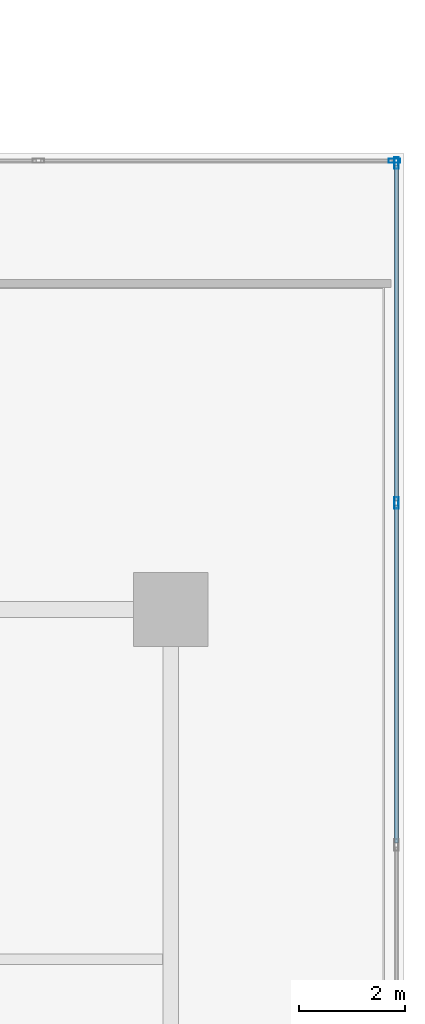
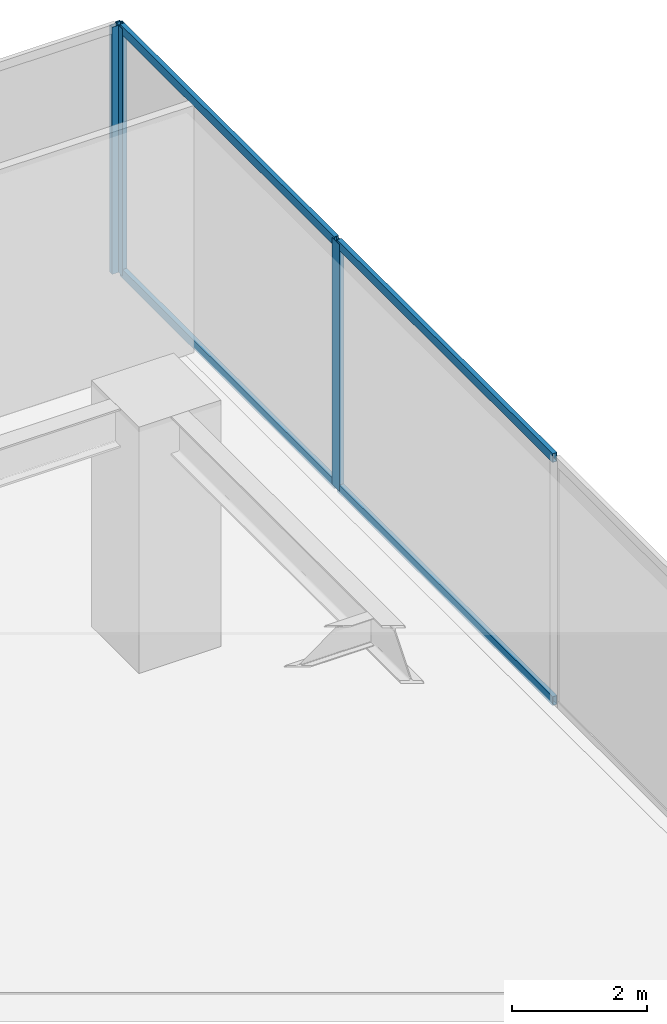
# One storey, part 10 of 16: 7 members, 2 elements without a shape of their own.
"""IFC4 building model written with IfcOpenShell, lengths in metres."""

import ifcopenshell
import ifcopenshell.guid

model = None  # the IFC model being written
_history = None  # IfcOwnerHistory: only IFC2X3 demands one
_inside = {}  # id of a spatial element -> (the spatial element, [elements in it])
_under = {}  # id of a project, library or spatial element -> (it, [spatial elements below it])
_declared = {}  # id of a project -> (the project, [libraries it declares])
_typed = {}  # id of a type object -> (the type object, [elements of that type])
_made_of = {}  # id of a material, layer set ... -> (it, [elements and type objects made of it])


def new_model(schema):
    """Start an empty IFC model of exactly this schema.

    Asked for "IFC4X3", IfcOpenShell would pick the latest addendum, in which some entities
    have other attributes; the version numbers below select the first issue.
    IFC2X3 requires an IfcOwnerHistory on every rooted entity: one is made here for all.
    """
    global model, _history
    if schema == "IFC4X3":
        model = ifcopenshell.file(schema_version=(4, 3, 0, 0))
    else:
        model = ifcopenshell.file(schema=schema)
    _inside.clear()
    _under.clear()
    _declared.clear()
    _typed.clear()
    _made_of.clear()
    _history = None
    if model.schema == "IFC2X3":
        org = make("IfcOrganization", Name="unknown")
        user = make(
            "IfcPersonAndOrganization",
            ThePerson=make("IfcPerson", FamilyName="unknown"),
            TheOrganization=org,
        )
        app = make(
            "IfcApplication",
            ApplicationDeveloper=org,
            Version="unknown",
            ApplicationFullName="unknown",
            ApplicationIdentifier="unknown",
        )
        _history = make(
            "IfcOwnerHistory",
            OwningUser=user,
            OwningApplication=app,
            ChangeAction="ADDED",
            CreationDate=0,
        )
    return model


def make(cls, **values):
    """One entity of the class cls with the attributes given. An attribute that is None is left unset."""
    return model.create_entity(
        cls, **{name: value for name, value in values.items() if value is not None}
    )


def rooted(cls, **values):
    """An entity with a GlobalId (a new one), such as an element, a storey or a relation."""
    return make(cls, GlobalId=ifcopenshell.guid.new(), OwnerHistory=_history, **values)


def si_unit(unit_type, name, prefix=None):
    """IfcSIUnit, for example si_unit("LENGTHUNIT", "METRE", prefix="MILLI")."""
    return make("IfcSIUnit", UnitType=unit_type, Prefix=prefix, Name=name)


def assignment(units):
    """IfcUnitAssignment: the units of a project."""
    return None if units is None else make("IfcUnitAssignment", Units=units)


def point(xyz):
    """IfcCartesianPoint."""
    return None if xyz is None else make("IfcCartesianPoint", Coordinates=xyz)


def direction(xyz):
    """IfcDirection."""
    return None if xyz is None else make("IfcDirection", DirectionRatios=xyz)


def frame(location, z_axis=None, x_axis=None):
    """IfcAxis2Placement3D, a coordinate frame: its origin and axes. An axis left out is left unset."""
    return make(
        "IfcAxis2Placement3D",
        Location=point(location),
        Axis=direction(z_axis),
        RefDirection=direction(x_axis),
    )


def frame_2d(location, x_axis=None):
    """IfcAxis2Placement2D, a coordinate frame in the plane: its origin and x axis."""
    return make(
        "IfcAxis2Placement2D", Location=point(location), RefDirection=direction(x_axis)
    )


def origin():
    """The frame at (0, 0, 0) with its axes left unset."""
    return frame((0.0, 0.0, 0.0))


def origin_with_axes():
    """The frame at (0, 0, 0) with the z axis (0, 0, 1) and the x axis (1, 0, 0) written out."""
    return frame((0.0, 0.0, 0.0), z_axis=(0.0, 0.0, 1.0), x_axis=(1.0, 0.0, 0.0))


def origin_2d():
    """The frame at (0, 0) in the plane with its x axis left unset."""
    return frame_2d((0.0, 0.0))


def place(relative_to, where):
    """IfcLocalPlacement: puts the frame where relative to a parent placement (None: the world)."""
    return make(
        "IfcLocalPlacement", PlacementRelTo=relative_to, RelativePlacement=where
    )


def context(
    kind, dimensions, precision=None, world=None, true_north=None, identifier=None
):
    """IfcGeometricRepresentationContext, for example the 3D "Model" context."""
    return make(
        "IfcGeometricRepresentationContext",
        ContextIdentifier=identifier,
        ContextType=kind,
        CoordinateSpaceDimension=dimensions,
        Precision=precision,
        WorldCoordinateSystem=world,
        TrueNorth=true_north,
    )


def subcontext(parent, identifier, kind, view, scale=None):
    """IfcGeometricRepresentationSubContext, for example "Body" below "Model"."""
    return make(
        "IfcGeometricRepresentationSubContext",
        ContextIdentifier=identifier,
        ContextType=kind,
        ParentContext=parent,
        TargetScale=scale,
        TargetView=view,
    )


def project(units=None, contexts=None):
    """IfcProject with its units and contexts."""
    return rooted(
        "IfcProject",
        Name="project",
        RepresentationContexts=contexts,
        UnitsInContext=assignment(units),
    )


def spatial(cls, under=None, at=None, **own):
    """A site, building, storey or space (cls), placed at a placement, below another one or the project."""
    s = rooted(cls, ObjectPlacement=at, **own)
    if under is not None:
        _under.setdefault(under.id(), (under, []))[1].append(s)
    return s


def profile(cls, at=None, kind="AREA", **sizes):
    """A parametric profile (cls). Its sizes go by their IFC names, for example OverallWidth=200.0."""
    return make(cls, ProfileType=kind, Position=at, **sizes)


def hollow_rectangle(**sizes):
    """IfcRectangleHollowProfileDef."""
    return profile("IfcRectangleHollowProfileDef", **sizes)


def extrude(swept, where, along, depth):
    """IfcExtrudedAreaSolid: the profile swept, set in the frame where, extruded along a direction by depth."""
    return make(
        "IfcExtrudedAreaSolid",
        SweptArea=swept,
        Position=where,
        ExtrudedDirection=direction(along),
        Depth=depth,
    )


def shape(context_of_items, identifier, shape_type, items):
    """IfcShapeRepresentation: the items that make up one representation, for example the "Body"."""
    return make(
        "IfcShapeRepresentation",
        ContextOfItems=context_of_items,
        RepresentationIdentifier=identifier,
        RepresentationType=shape_type,
        Items=items,
    )


def source(mapping_origin, context_of_items, identifier, shape_type, items):
    """IfcRepresentationMap: a shape defined once, which mapped items show again and again."""
    return make(
        "IfcRepresentationMap",
        MappingOrigin=mapping_origin,
        MappedRepresentation=shape(context_of_items, identifier, shape_type, items),
    )


def transform(
    local_origin,
    x_axis=None,
    y_axis=None,
    z_axis=None,
    scale=None,
    scale2=None,
    scale3=None,
    uniform=True,
):
    """IfcCartesianTransformationOperator3D, or its non-uniform kind. x_axis, y_axis, z_axis: its Axis1, 2, 3."""
    if uniform:
        return make(
            "IfcCartesianTransformationOperator3D",
            Axis1=direction(x_axis),
            Axis2=direction(y_axis),
            LocalOrigin=point(local_origin),
            Scale=scale,
            Axis3=direction(z_axis),
        )
    return make(
        "IfcCartesianTransformationOperator3DnonUniform",
        Axis1=direction(x_axis),
        Axis2=direction(y_axis),
        LocalOrigin=point(local_origin),
        Scale=scale,
        Axis3=direction(z_axis),
        Scale2=scale2,
        Scale3=scale3,
    )


def mapped(mapping_source, mapping_target):
    """IfcMappedItem: shows the shape of a source again, moved by a transform."""
    return make(
        "IfcMappedItem", MappingSource=mapping_source, MappingTarget=mapping_target
    )


def material(Name=None, Category=None):
    """IfcMaterial."""
    return make("IfcMaterial", Name=Name, Category=Category)


def layer(
    of_material, thickness, ventilated=None, Name=None, Category=None, Priority=None
):
    """IfcMaterialLayer: one layer of a wall or slab, of a material (None: an air gap)."""
    return make(
        "IfcMaterialLayer",
        Material=of_material,
        LayerThickness=thickness,
        IsVentilated=ventilated,
        Name=Name,
        Category=Category,
        Priority=Priority,
    )


def layer_set(layers, Name=None):
    """IfcMaterialLayerSet."""
    return make("IfcMaterialLayerSet", MaterialLayers=layers, LayerSetName=Name)


def material_profile(
    of_material, cross_section, Name=None, Category=None, Priority=None
):
    """IfcMaterialProfile: a cross section and its material."""
    return make(
        "IfcMaterialProfile",
        Name=Name,
        Material=of_material,
        Profile=cross_section,
        Priority=Priority,
        Category=Category,
    )


def profile_set(profiles, Name=None, composite=None):
    """IfcMaterialProfileSet."""
    return make(
        "IfcMaterialProfileSet",
        Name=Name,
        MaterialProfiles=profiles,
        CompositeProfile=composite,
    )


def made_of(thing, what):
    """Note that an element or type object is made of a material, layer set ...; save() writes the relation."""
    if what is not None:
        _made_of.setdefault(what.id(), (what, []))[1].append(thing)
    return thing


def type_object(cls, material=None, **own):
    """A type object (cls), such as IfcWallType, which elements share."""
    return made_of(rooted(cls, **own), material)


def element(
    cls,
    number,
    at=None,
    inside=None,
    cuts=None,
    type_object=None,
    material=None,
    context=None,
    identifier="Body",
    shape_type=None,
    held_by="IfcProductDefinitionShape",
    body=None,
    shapes=None,
    **own,
):
    """One element of the class cls, such as IfcWall. Its Tag is "e" and its number.

    at: its placement. inside: the storey or other place that contains it. cuts: it is an
    opening in that element (IfcRelVoidsElement). A single representation is given by context,
    identifier, shape_type and body (its items); several are given by shapes. held_by: the class
    of the entity that holds the representations. save() writes the other relations.
    """
    e = rooted(cls, Tag="e%d" % number, ObjectPlacement=at, **own)
    if body is not None:
        shapes = [shape(context, identifier, shape_type, body)]
    if shapes is not None:
        e.Representation = make(held_by, Representations=shapes)
    if inside is not None:
        _inside.setdefault(inside.id(), (inside, []))[1].append(e)
    if cuts is not None:
        rooted(
            "IfcRelVoidsElement", RelatingBuildingElement=cuts, RelatedOpeningElement=e
        )
    if type_object is not None:
        _typed.setdefault(type_object.id(), (type_object, []))[1].append(e)
    return made_of(e, material)


def aggregate(whole, parts):
    """IfcRelAggregates: a whole, such as a stair, and the parts it consists of."""
    return rooted("IfcRelAggregates", RelatingObject=whole, RelatedObjects=parts)


def save(model, path):
    """Write the relations noted so far, then the file.

    IfcRelAggregates (storeys below a building ...), IfcRelContainedInSpatialStructure (elements
    in a storey), IfcRelDefinesByType, IfcRelAssociatesMaterial and IfcRelDeclares: one each for
    every whole, place, type object, material and project.
    """
    for whole, parts in _under.values():
        aggregate(whole, parts)
    for where, things in _inside.values():
        rooted(
            "IfcRelContainedInSpatialStructure",
            RelatedElements=things,
            RelatingStructure=where,
        )
    for kind, things in _typed.values():
        rooted("IfcRelDefinesByType", RelatedObjects=things, RelatingType=kind)
    for what, things in _made_of.values():
        rooted("IfcRelAssociatesMaterial", RelatedObjects=things, RelatingMaterial=what)
    for by, libraries in _declared.values():
        rooted("IfcRelDeclares", RelatingContext=by, RelatedDefinitions=libraries)
    model.write(path)


model = new_model("IFC4")

# Units and contexts
model_context = context("Model", 3, precision=1e-05, world=origin(), true_north=direction((0.0, 1.0)))
body_context = subcontext(model_context, "Body", "Model", "MODEL_VIEW")
ifc_project = project(units=[si_unit("LENGTHUNIT", "METRE"), si_unit("AREAUNIT", "SQUARE_METRE"), si_unit("VOLUMEUNIT", "CUBIC_METRE"), si_unit("PLANEANGLEUNIT", "RADIAN"), si_unit("MASSUNIT", "GRAM", prefix="KILO")], contexts=[model_context])

# Site, building, storey
site_placement = place(None, origin())
site = spatial("IfcSite", under=ifc_project, at=site_placement, CompositionType="ELEMENT")
building_placement = place(site_placement, origin())
building = spatial("IfcBuilding", under=site, at=building_placement, Name="Kolvaren Waterfront Exchange", CompositionType="ELEMENT")
storey_placement = place(building_placement, frame((0.0, 0.0, 10.39990234375)))
storey = spatial("IfcBuildingStorey", under=building, at=storey_placement, Name="L03", CompositionType="ELEMENT", Elevation=10.39990234375)

# Curtain wall, members
ifc_material_1 = material(Name="Anodised bronze aluminium 6063-T6", Category="aluminium")
ifc_layer = layer(ifc_material_1, 0.219970703125, Name="Anodised bronze aluminium 6063-T6")
ifc_layer_set = layer_set([ifc_layer], Name="Anodised bronze aluminium 6063-T6")
curtain_wall_type = type_object("IfcCurtainWallType", Name="ARC-CW-SYS4", PredefinedType="USERDEFINED", material=ifc_layer_set)
curtain_wall_1_placement = place(storey_placement, origin())
curtain_wall_1 = element("IfcCurtainWall", 1, at=curtain_wall_1_placement, inside=storey, type_object=curtain_wall_type, Name="L03 stick curtain wall CW4 (CW-L03-E1)", ObjectType="STICK CURTAIN WALL", PredefinedType="USERDEFINED")
ifc_material_2 = material(Name="Anodised aluminium 6063-T6", Category="aluminium")
ifc_material_profile_1 = material_profile(ifc_material_2, hollow_rectangle(XDim=0.074951171875, YDim=0.159912109375, WallThickness=0.00439453125, at=origin_2d()), Name="ALU-TRN-160x75x4.5")
ifc_profile_set_1 = profile_set([ifc_material_profile_1], Name="Anodised aluminium 6063-T6")
member_type_1 = type_object("IfcMemberType", Name="ARC-CWT-160", PredefinedType="USERDEFINED", material=ifc_profile_set_1)
shared_shape_1 = source(origin_with_axes(), body_context, "Body", "SweptSolid", [
    extrude(hollow_rectangle(XDim=0.074951171875, YDim=0.159912109375, WallThickness=0.00439453125, at=origin_2d()), origin(), (0.0, 0.0, 1.0), 6.37158203125),
])
member_1_placement = place(storey_placement, frame((64.659912109375, 26.19677734375, 0.03759765625), z_axis=(0.0, 1.0, 0.0), x_axis=(-1.0, 0.0, 0.0)))
member_1 = element("IfcMember", 2, at=member_1_placement, type_object=member_type_1, Name="CW4 transom 5.1", ObjectType="TRANSOM", PredefinedType="USERDEFINED", context=body_context, shape_type="MappedRepresentation", body=[
    mapped(shared_shape_1, transform((0.0, 0.0, 0.0), x_axis=(1.0, 0.0, 0.0), y_axis=(0.0, 1.0, 0.0), z_axis=(0.0, 0.0, 1.0), scale=1.0)),
])
member_2_placement = place(storey_placement, frame((64.659912109375, 26.19677734375, 4.422607421875), z_axis=(0.0, 1.0, 0.0), x_axis=(-1.0, 0.0, 0.0)))
member_2 = element("IfcMember", 3, at=member_2_placement, type_object=member_type_1, Name="CW4 transom 5.2", ObjectType="TRANSOM", PredefinedType="USERDEFINED", context=body_context, shape_type="MappedRepresentation", body=[
    mapped(shared_shape_1, transform((0.0, 0.0, 0.0), x_axis=(1.0, 0.0, 0.0), y_axis=(0.0, 1.0, 0.0), z_axis=(0.0, 0.0, 1.0), scale=1.0)),
])
shared_shape_2 = source(origin_with_axes(), body_context, "Body", "SweptSolid", [
    extrude(hollow_rectangle(XDim=0.074951171875, YDim=0.159912109375, WallThickness=0.00439453125, at=origin_2d()), origin(), (0.0, 0.0, 1.0), 6.33154296875),
])
member_3_placement = place(storey_placement, frame((64.659912109375, 32.6484375, 0.03759765625), z_axis=(0.0, 1.0, 0.0), x_axis=(-1.0, 0.0, 0.0)))
member_3 = element("IfcMember", 4, at=member_3_placement, type_object=member_type_1, Name="CW4 transom 6.1", ObjectType="TRANSOM", PredefinedType="USERDEFINED", context=body_context, shape_type="MappedRepresentation", body=[
    mapped(shared_shape_2, transform((0.0, 0.0, 0.0), x_axis=(1.0, 0.0, 0.0), y_axis=(0.0, 1.0, 0.0), z_axis=(0.0, 0.0, 1.0), scale=1.0)),
])
member_4_placement = place(storey_placement, frame((64.659912109375, 32.6484375, 4.422607421875), z_axis=(0.0, 1.0, 0.0), x_axis=(-1.0, 0.0, 0.0)))
member_4 = element("IfcMember", 5, at=member_4_placement, type_object=member_type_1, Name="CW4 transom 6.2", ObjectType="TRANSOM", PredefinedType="USERDEFINED", context=body_context, shape_type="MappedRepresentation", body=[
    mapped(shared_shape_2, transform((0.0, 0.0, 0.0), x_axis=(1.0, 0.0, 0.0), y_axis=(0.0, 1.0, 0.0), z_axis=(0.0, 0.0, 1.0), scale=1.0)),
])
ifc_material_profile_2 = material_profile(ifc_material_2, hollow_rectangle(XDim=0.080078125, YDim=0.219970703125, WallThickness=0.0048828125, at=origin_2d()), Name="ALU-MUL-220x80x5")
ifc_profile_set_2 = profile_set([ifc_material_profile_2], Name="Anodised aluminium 6063-T6")
member_type_2 = type_object("IfcMemberType", Name="ARC-CWM-220", PredefinedType="MULLION", material=ifc_profile_set_2)
shared_shape_3 = source(origin_with_axes(), body_context, "Body", "SweptSolid", [
    extrude(hollow_rectangle(XDim=0.080078125, YDim=0.219970703125, WallThickness=0.0048828125, at=origin_2d()), origin(), (0.0, 0.0, 1.0), 4.460205078125),
])
member_5_placement = place(storey_placement, frame((64.659912109375, 32.6083984375, 0.0), z_axis=(0.0, 0.0, 1.0), x_axis=(-1.0, 0.0, 0.0)))
member_5 = element("IfcMember", 6, at=member_5_placement, type_object=member_type_2, Name="CW4 mullion 6", PredefinedType="MULLION", context=body_context, shape_type="MappedRepresentation", body=[
    mapped(shared_shape_3, transform((0.0, 0.0, 0.0), x_axis=(1.0, 0.0, 0.0), y_axis=(0.0, 1.0, 0.0), z_axis=(0.0, 0.0, 1.0), scale=1.0)),
])
member_6_placement = place(storey_placement, frame((64.659912109375, 39.02001953125, 0.0), z_axis=(0.0, 0.0, 1.0), x_axis=(-1.0, 0.0, 0.0)))
member_6 = element("IfcMember", 7, at=member_6_placement, type_object=member_type_2, Name="CW4 mullion 7", PredefinedType="MULLION", context=body_context, shape_type="MappedRepresentation", body=[
    mapped(shared_shape_3, transform((0.0, 0.0, 0.0), x_axis=(1.0, 0.0, 0.0), y_axis=(0.0, 1.0, 0.0), z_axis=(0.0, 0.0, 1.0), scale=1.0)),
])
aggregate(curtain_wall_1, [member_5, member_6, member_1, member_2, member_3, member_4])

# Curtain wall, member
curtain_wall_2_placement = place(storey_placement, origin())
curtain_wall_2 = element("IfcCurtainWall", 8, at=curtain_wall_2_placement, inside=storey, type_object=curtain_wall_type, Name="L03 stick curtain wall CW4 (CW-L03-E2)", ObjectType="STICK CURTAIN WALL", PredefinedType="USERDEFINED")
member_7_placement = place(storey_placement, frame((64.6201171875, 39.06005859375, 0.0), z_axis=(0.0, 0.0, 1.0), x_axis=(0.0, -1.0, 0.0)))
member_7 = element("IfcMember", 9, at=member_7_placement, type_object=member_type_2, Name="CW4 mullion 1", PredefinedType="MULLION", context=body_context, shape_type="MappedRepresentation", body=[
    mapped(shared_shape_3, transform((0.0, 0.0, 0.0), x_axis=(1.0, 0.0, 0.0), y_axis=(0.0, 1.0, 0.0), z_axis=(0.0, 0.0, 1.0), scale=1.0)),
])
aggregate(curtain_wall_2, [member_7])

save(model, "model.ifc")
